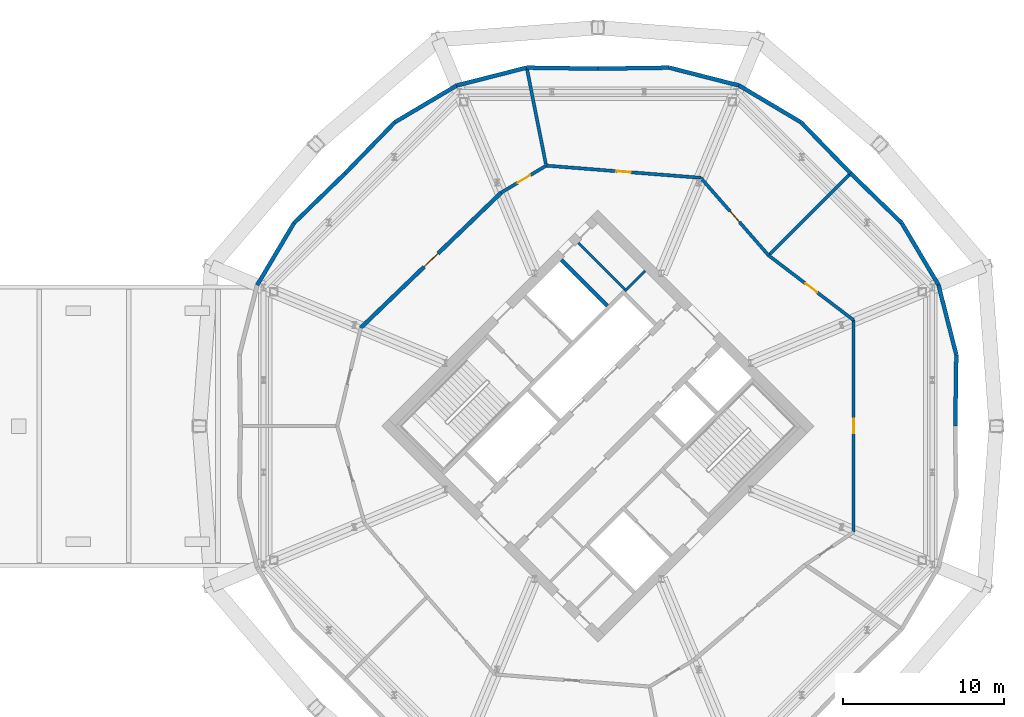
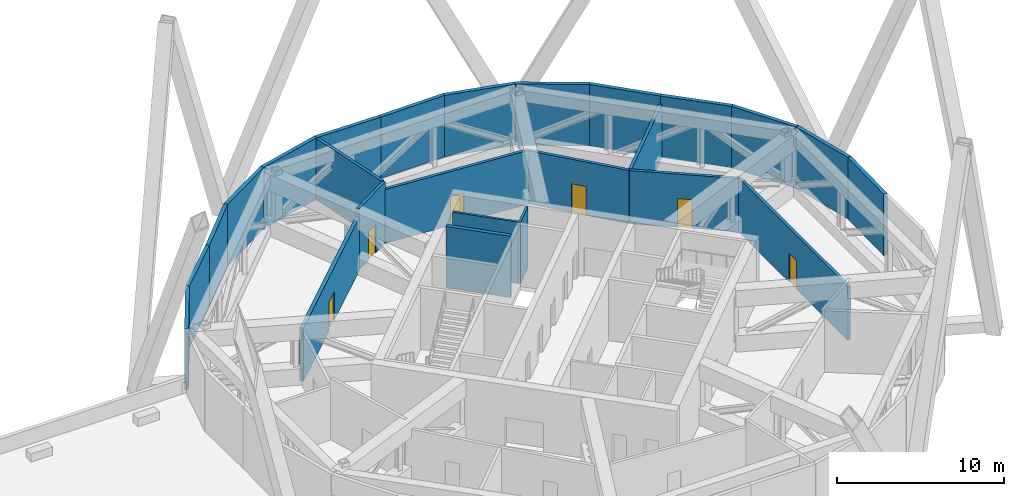
# One storey, part 17 of 20: 25 walls, 6 doors, 6 openings.
"""IFC4 building model written with IfcOpenShell, lengths in metres."""

from ifc_helpers import new_model, si_unit, direction, frame, frame_2d, origin, place, context, subcontext, project, spatial, rectangle, extrude, material, layer, layer_set, type_object, element, fill, save


model = new_model("IFC4")

# Units and contexts
model_context = context("Model", 3, precision=1e-05, world=origin(), true_north=direction((0.0, 1.0)))
body_context = subcontext(model_context, "Body", "Model", "MODEL_VIEW")
ifc_project = project(units=[si_unit("LENGTHUNIT", "METRE"), si_unit("AREAUNIT", "SQUARE_METRE"), si_unit("VOLUMEUNIT", "CUBIC_METRE"), si_unit("PLANEANGLEUNIT", "RADIAN"), si_unit("MASSUNIT", "GRAM", prefix="KILO")], contexts=[model_context])

# Site, building, storey
site_placement = place(None, origin())
site = spatial("IfcSite", under=ifc_project, at=site_placement, CompositionType="ELEMENT")
building_placement = place(site_placement, origin())
building = spatial("IfcBuilding", under=site, at=building_placement, Name="Ogive Gate Towers", CompositionType="ELEMENT")
storey_placement = place(building_placement, frame((0.0, 0.0, 160.800048828125)))
storey = spatial("IfcBuildingStorey", under=building, at=storey_placement, Name="L38", CompositionType="ELEMENT", Elevation=160.800048828125)

# Walls
ifc_material_1 = material(Name="Fire-rated block compartment wall")
ifc_layer_1 = layer(ifc_material_1, 0.199951171875)
ifc_layer_set_1 = layer_set([ifc_layer_1], Name="Compartment wall 200")
wall_type_1 = type_object("IfcWallType", Name="Compartment wall 200", PredefinedType="PARTITIONING", material=ifc_layer_set_1)
wall_1_placement = place(storey_placement, frame((51.725341796875, 15.725341796875, 0.0), z_axis=(0.0, 0.0, 1.0), x_axis=(-0.707106781187, -0.707106781187, 0.0)))
element("IfcWall", 1, at=wall_1_placement, inside=storey, type_object=wall_type_1, Name="Partition T2-L38-001", PredefinedType="PARTITIONING", context=body_context, shape_type="SweptSolid", body=[
    extrude(rectangle(XDim=7.135986328125, YDim=0.199951171875, at=frame_2d((3.56787109375, 0.0))), origin(), (0.0, 0.0, 1.0), 3.89990234375),
])
wall_2_placement = place(storey_placement, frame((31.571533203125, 22.30419921875, 0.0), z_axis=(0.0, 0.0, 1.0), x_axis=(0.194754029692, -0.980852113174, 0.0)))
element("IfcWall", 2, at=wall_2_placement, inside=storey, type_object=wall_type_1, Name="Partition T2-L38-002", PredefinedType="PARTITIONING", context=body_context, shape_type="SweptSolid", body=[
    extrude(rectangle(XDim=6.13623046875, YDim=0.199951171875, at=frame_2d((3.068115234375, 0.0))), origin(), (0.0, 0.0, 1.0), 4.5),
])

# Wall, opening, door
wall_3_placement = place(storey_placement, frame((51.894287109375, -6.583740234375, 0.0), z_axis=(0.0, 0.0, 1.0), x_axis=(0.0, 1.0, 0.0)))
wall_3 = element("IfcWall", 3, at=wall_3_placement, inside=storey, type_object=wall_type_1, Name="Partition T2-L38-011", PredefinedType="PARTITIONING", context=body_context, shape_type="SweptSolid", body=[
    extrude(rectangle(XDim=13.16748046875, YDim=0.199951171875, at=frame_2d((6.583740234375, 0.0))), origin(), (0.0, 0.0, 1.0), 3.949951171875),
])
opening_1_placement = place(wall_3_placement, frame((6.14990234375, 0.0, 0.0)))
opening_1 = element("IfcOpeningElement", 4, at=opening_1_placement, cuts=wall_3, Name="Opening T2-L38-D05", PredefinedType="OPENING", context=body_context, shape_type="SweptSolid", body=[
    extrude(rectangle(XDim=0.89990234375, YDim=2.10009765625, at=frame_2d((0.449951171875, 1.050048828125))), frame((0.0, 0.10986328125, 0.0), z_axis=(0.0, -1.0, 0.0), x_axis=(1.0, 0.0, 0.0)), (0.0, 0.0, 1.0), 0.219970703125),
])
ifc_material_2 = material(Name="Steel fire door", Category="steel")
door_type_1 = type_object("IfcDoorType", Name="Fire door 900 FD30S", OperationType="NOTDEFINED", PredefinedType="DOOR", material=ifc_material_2)
door_1_placement = place(opening_1_placement, origin())
door_1 = element("IfcDoor", 5, at=door_1_placement, inside=storey, type_object=door_type_1, Name="Door T2-L38-D05", OperationType="SINGLE_SWING_RIGHT", OverallHeight=2.10009765625, OverallWidth=0.89990234375, PredefinedType="DOOR", context=body_context, shape_type="SweptSolid", body=[
    extrude(rectangle(XDim=0.89990234375, YDim=2.10009765625, at=frame_2d((0.449951171875, 1.050048828125))), frame((0.0, 0.02490234375, 0.0), z_axis=(0.0, -1.0, 0.0), x_axis=(1.0, 0.0, 0.0)), (0.0, 0.0, 1.0), 0.050048828125),
])
fill(opening_1, door_1)

wall_4_placement = place(storey_placement, frame((51.894287109375, 6.583740234375, 0.0), z_axis=(0.0, 0.0, 1.0), x_axis=(-0.795595343766, 0.605828398953, 0.0)))
wall_4 = element("IfcWall", 6, at=wall_4_placement, inside=storey, type_object=wall_type_1, Name="Partition T2-L38-012", PredefinedType="PARTITIONING", context=body_context, shape_type="SweptSolid", body=[
    extrude(rectangle(XDim=6.6435546875, YDim=0.199951171875, at=frame_2d((3.32177734375, 0.0))), origin(), (0.0, 0.0, 1.0), 3.89990234375),
])
opening_2_placement = place(wall_4_placement, frame((2.85009765625, 0.0, 0.0)))
opening_2 = element("IfcOpeningElement", 7, at=opening_2_placement, cuts=wall_4, Name="Opening T2-L38-D06", PredefinedType="OPENING", context=body_context, shape_type="SweptSolid", body=[
    extrude(rectangle(XDim=0.89990234375, YDim=2.10009765625, at=frame_2d((0.449951171875, 1.050048828125))), frame((0.0, 0.10986328125, 0.0), z_axis=(0.0, -1.0, 0.0), x_axis=(1.0, 0.0, 0.0)), (0.0, 0.0, 1.0), 0.219970703125),
])
door_2_placement = place(opening_2_placement, origin())
door_2 = element("IfcDoor", 8, at=door_2_placement, inside=storey, type_object=door_type_1, Name="Door T2-L38-D06", OperationType="SINGLE_SWING_RIGHT", OverallHeight=2.10009765625, OverallWidth=0.89990234375, PredefinedType="DOOR", context=body_context, shape_type="SweptSolid", body=[
    extrude(rectangle(XDim=0.89990234375, YDim=2.10009765625, at=frame_2d((0.449951171875, 1.050048828125))), frame((0.0, 0.02490234375, 0.0), z_axis=(0.0, -1.0, 0.0), x_axis=(1.0, 0.0, 0.0)), (0.0, 0.0, 1.0), 0.050048828125),
])
fill(opening_2, door_2)

wall_5_placement = place(storey_placement, frame((46.608642578125, 10.608642578125, 0.0), z_axis=(0.0, 0.0, 1.0), x_axis=(-0.658110631292, 0.752921242216, 0.0)))
wall_5 = element("IfcWall", 9, at=wall_5_placement, inside=storey, type_object=wall_type_1, Name="Partition T2-L38-013", PredefinedType="PARTITIONING", context=body_context, shape_type="SweptSolid", body=[
    extrude(rectangle(XDim=6.40673828125, YDim=0.199951171875, at=frame_2d((3.203369140625, 0.0))), origin(), (0.0, 0.0, 1.0), 3.89990234375),
])
opening_3_placement = place(wall_5_placement, frame((2.75, 0.0, 0.0)))
opening_3 = element("IfcOpeningElement", 10, at=opening_3_placement, cuts=wall_5, Name="Opening T2-L38-D07", PredefinedType="OPENING", context=body_context, shape_type="SweptSolid", body=[
    extrude(rectangle(XDim=0.89990234375, YDim=2.10009765625, at=frame_2d((0.449951171875, 1.050048828125))), frame((0.0, 0.10986328125, 0.0), z_axis=(0.0, -1.0, 0.0), x_axis=(1.0, 0.0, 0.0)), (0.0, 0.0, 1.0), 0.219970703125),
])
door_3_placement = place(opening_3_placement, origin())
door_3 = element("IfcDoor", 11, at=door_3_placement, inside=storey, type_object=door_type_1, Name="Door T2-L38-D07", OperationType="SINGLE_SWING_LEFT", OverallHeight=2.10009765625, OverallWidth=0.89990234375, PredefinedType="DOOR", context=body_context, shape_type="SweptSolid", body=[
    extrude(rectangle(XDim=0.89990234375, YDim=2.10009765625, at=frame_2d((0.449951171875, 1.050048828125))), frame((0.0, 0.02490234375, 0.0), z_axis=(0.0, -1.0, 0.0), x_axis=(1.0, 0.0, 0.0)), (0.0, 0.0, 1.0), 0.050048828125),
])
fill(opening_3, door_3)

wall_6_placement = place(storey_placement, frame((42.392333984375, 15.432373046875, 0.0), z_axis=(0.0, 0.0, 1.0), x_axis=(-0.996924770131, 0.078364550016, 0.0)))
wall_6 = element("IfcWall", 12, at=wall_6_placement, inside=storey, type_object=wall_type_1, Name="Partition T2-L38-014", PredefinedType="PARTITIONING", context=body_context, shape_type="SweptSolid", body=[
    extrude(rectangle(XDim=9.635986328125, YDim=0.199951171875, at=frame_2d((4.81787109375, 0.0))), origin(), (0.0, 0.0, 1.0), 3.949951171875),
])
opening_4_placement = place(wall_6_placement, frame((4.35009765625, 0.0, 0.0)))
opening_4 = element("IfcOpeningElement", 13, at=opening_4_placement, cuts=wall_6, Name="Opening T2-L38-D08", PredefinedType="OPENING", context=body_context, shape_type="SweptSolid", body=[
    extrude(rectangle(XDim=0.89990234375, YDim=2.10009765625, at=frame_2d((0.449951171875, 1.050048828125))), frame((0.0, 0.10986328125, 0.0), z_axis=(0.0, -1.0, 0.0), x_axis=(1.0, 0.0, 0.0)), (0.0, 0.0, 1.0), 0.219970703125),
])
door_4_placement = place(opening_4_placement, origin())
door_4 = element("IfcDoor", 14, at=door_4_placement, inside=storey, type_object=door_type_1, Name="Door T2-L38-D08", OperationType="SINGLE_SWING_LEFT", OverallHeight=2.10009765625, OverallWidth=0.89990234375, PredefinedType="DOOR", context=body_context, shape_type="SweptSolid", body=[
    extrude(rectangle(XDim=0.89990234375, YDim=2.10009765625, at=frame_2d((0.449951171875, 1.050048828125))), frame((0.0, 0.02490234375, 0.0), z_axis=(0.0, -1.0, 0.0), x_axis=(1.0, 0.0, 0.0)), (0.0, 0.0, 1.0), 0.050048828125),
])
fill(opening_4, door_4)

wall_7_placement = place(storey_placement, frame((32.785888671875, 16.1875, 0.0), z_axis=(0.0, 0.0, 1.0), x_axis=(-0.857261622912, -0.514881063822, 0.0)))
wall_7 = element("IfcWall", 15, at=wall_7_placement, inside=storey, type_object=wall_type_1, Name="Partition T2-L38-015", PredefinedType="PARTITIONING", context=body_context, shape_type="SweptSolid", body=[
    extrude(rectangle(XDim=3.2607421875, YDim=0.199951171875, at=frame_2d((1.63037109375, 0.0))), origin(), (0.0, 0.0, 1.0), 4.5),
])
opening_5_placement = place(wall_7_placement, frame((1.157958984375, 0.0, 0.0)))
opening_5 = element("IfcOpeningElement", 16, at=opening_5_placement, cuts=wall_7, Name="Opening T2-L38-D09", PredefinedType="OPENING", context=body_context, shape_type="SweptSolid", body=[
    extrude(rectangle(XDim=0.89990234375, YDim=2.10009765625, at=frame_2d((0.449951171875, 1.050048828125))), frame((0.0, 0.10986328125, 0.0), z_axis=(0.0, -1.0, 0.0), x_axis=(1.0, 0.0, 0.0)), (0.0, 0.0, 1.0), 0.219970703125),
])
door_5_placement = place(opening_5_placement, origin())
door_5 = element("IfcDoor", 17, at=door_5_placement, inside=storey, type_object=door_type_1, Name="Door T2-L38-D09", OperationType="SINGLE_SWING_LEFT", OverallHeight=2.10009765625, OverallWidth=0.89990234375, PredefinedType="DOOR", context=body_context, shape_type="SweptSolid", body=[
    extrude(rectangle(XDim=0.89990234375, YDim=2.10009765625, at=frame_2d((0.449951171875, 1.050048828125))), frame((0.0, 0.02490234375, 0.0), z_axis=(0.0, -1.0, 0.0), x_axis=(1.0, 0.0, 0.0)), (0.0, 0.0, 1.0), 0.050048828125),
])
fill(opening_5, door_5)

# Walls
ifc_material_3 = material(Name="Pale metal aluminium louvre", Category="aluminium")
ifc_layer_2 = layer(ifc_material_3, 0.25)
ifc_layer_set_2 = layer_set([ifc_layer_2], Name="Plant louvre wall")
wall_type_2 = type_object("IfcWallType", Name="Plant louvre wall", PredefinedType="SOLIDWALL", material=ifc_layer_set_2)
wall_8_placement = place(storey_placement, frame((58.215087890625, 0.0, 0.0), z_axis=(0.0, 0.0, 1.0), x_axis=(0.014206397031, 0.99989908405, 0.0)))
element("IfcWall", 18, at=wall_8_placement, inside=storey, type_object=wall_type_2, Name="Plant louvre wall", PredefinedType="SOLIDWALL", context=body_context, shape_type="SweptSolid", body=[
    extrude(rectangle(XDim=4.433837890625, YDim=0.25, at=frame_2d((2.216796875, 0.0))), origin(), (0.0, 0.0, 1.0), 4.5),
])
wall_9_placement = place(storey_placement, frame((58.278076171875, 4.433349609375, 0.0), z_axis=(0.0, 0.0, 1.0), x_axis=(-0.247526000192, 0.968881251356, 0.0)))
element("IfcWall", 19, at=wall_9_placement, inside=storey, type_object=wall_type_2, Name="Plant louvre wall", PredefinedType="SOLIDWALL", context=body_context, shape_type="SweptSolid", body=[
    extrude(rectangle(XDim=4.474853515625, YDim=0.25, at=frame_2d((2.2373046875, 0.0))), origin(), (0.0, 0.0, 1.0), 4.5),
])
wall_10_placement = place(storey_placement, frame((57.17041015625, 8.76904296875, 0.0), z_axis=(0.0, 0.0, 1.0), x_axis=(-0.510092473899, 0.860119566149, 0.0)))
element("IfcWall", 20, at=wall_10_placement, inside=storey, type_object=wall_type_2, Name="Plant louvre wall", PredefinedType="SOLIDWALL", context=body_context, shape_type="SweptSolid", body=[
    extrude(rectangle(XDim=4.47509765625, YDim=0.25, at=frame_2d((2.237548828125, 0.0))), origin(), (0.0, 0.0, 1.0), 4.5),
])
for number, where, z_axis, x_axis, name in (
    (21, (54.8876953125, 12.6181640625, 0.0), (0.0, 0.0, 1.0), (-0.717057604058, 0.69701391124, 0.0), "Plant louvre wall"),
    (22, (51.70849609375, 15.70849609375, 0.0), (0.0, 0.0, 1.0), (-0.69701391124, 0.717057604058, 0.0), "Plant louvre wall"),
):
    element("IfcWall", number, at=place(storey_placement, frame(where, z_axis=z_axis, x_axis=x_axis)), inside=storey, type_object=wall_type_2, Name=name, PredefinedType="SOLIDWALL", context=body_context, shape_type="SweptSolid", body=[
        extrude(rectangle(XDim=4.43359375, YDim=0.25, at=frame_2d((2.216796875, 0.0))), origin(), (0.0, 0.0, 1.0), 4.5),
    ])
wall_11_placement = place(storey_placement, frame((48.6181640625, 18.8876953125, 0.0), z_axis=(0.0, 0.0, 1.0), x_axis=(-0.860119566149, 0.510092473899, 0.0)))
element("IfcWall", 23, at=wall_11_placement, inside=storey, type_object=wall_type_2, Name="Plant louvre wall", PredefinedType="SOLIDWALL", context=body_context, shape_type="SweptSolid", body=[
    extrude(rectangle(XDim=4.47509765625, YDim=0.25, at=frame_2d((2.237548828125, 0.0))), origin(), (0.0, 0.0, 1.0), 4.5),
])
wall_12_placement = place(storey_placement, frame((44.76904296875, 21.17041015625, 0.0), z_axis=(0.0, 0.0, 1.0), x_axis=(-0.968881251356, 0.247526000192, 0.0)))
element("IfcWall", 24, at=wall_12_placement, inside=storey, type_object=wall_type_2, Name="Plant louvre wall", PredefinedType="SOLIDWALL", context=body_context, shape_type="SweptSolid", body=[
    extrude(rectangle(XDim=4.474853515625, YDim=0.25, at=frame_2d((2.2373046875, 0.0))), origin(), (0.0, 0.0, 1.0), 4.5),
])
for number, where, z_axis, x_axis, name in (
    (25, (40.433349609375, 22.278076171875, 0.0), (0.0, 0.0, 1.0), (-0.99989908405, -0.014206397031, 0.0), "Plant louvre wall"),
    (26, (36.0, 22.215087890625, 0.0), (0.0, 0.0, 1.0), (-0.99989908405, 0.014206397031, 0.0), "Plant louvre wall"),
):
    element("IfcWall", number, at=place(storey_placement, frame(where, z_axis=z_axis, x_axis=x_axis)), inside=storey, type_object=wall_type_2, Name=name, PredefinedType="SOLIDWALL", context=body_context, shape_type="SweptSolid", body=[
        extrude(rectangle(XDim=4.433837890625, YDim=0.25, at=frame_2d((2.216796875, 0.0))), origin(), (0.0, 0.0, 1.0), 4.5),
    ])
wall_13_placement = place(storey_placement, frame((31.566650390625, 22.278076171875, 0.0), z_axis=(0.0, 0.0, 1.0), x_axis=(-0.968881251356, -0.247526000192, 0.0)))
element("IfcWall", 27, at=wall_13_placement, inside=storey, type_object=wall_type_2, Name="Plant louvre wall", PredefinedType="SOLIDWALL", context=body_context, shape_type="SweptSolid", body=[
    extrude(rectangle(XDim=4.474853515625, YDim=0.25, at=frame_2d((2.2373046875, 0.0))), origin(), (0.0, 0.0, 1.0), 4.5),
])
wall_14_placement = place(storey_placement, frame((27.23095703125, 21.17041015625, 0.0), z_axis=(0.0, 0.0, 1.0), x_axis=(-0.860119566149, -0.510092473899, 0.0)))
element("IfcWall", 28, at=wall_14_placement, inside=storey, type_object=wall_type_2, Name="Plant louvre wall", PredefinedType="SOLIDWALL", context=body_context, shape_type="SweptSolid", body=[
    extrude(rectangle(XDim=4.47509765625, YDim=0.25, at=frame_2d((2.237548828125, 0.0))), origin(), (0.0, 0.0, 1.0), 4.5),
])
for number, where, z_axis, x_axis, name in (
    (29, (23.3818359375, 18.8876953125, 0.0), (0.0, 0.0, 1.0), (-0.69701391124, -0.717057604058, 0.0), "Plant louvre wall"),
    (30, (20.29150390625, 15.70849609375, 0.0), (0.0, 0.0, 1.0), (-0.717057604058, -0.69701391124, 0.0), "Plant louvre wall"),
):
    element("IfcWall", number, at=place(storey_placement, frame(where, z_axis=z_axis, x_axis=x_axis)), inside=storey, type_object=wall_type_2, Name=name, PredefinedType="SOLIDWALL", context=body_context, shape_type="SweptSolid", body=[
        extrude(rectangle(XDim=4.43359375, YDim=0.25, at=frame_2d((2.216796875, 0.0))), origin(), (0.0, 0.0, 1.0), 4.5),
    ])
wall_15_placement = place(storey_placement, frame((17.1123046875, 12.6181640625, 0.0), z_axis=(0.0, 0.0, 1.0), x_axis=(-0.510092473899, -0.860119566149, 0.0)))
element("IfcWall", 31, at=wall_15_placement, inside=storey, type_object=wall_type_2, Name="Plant louvre wall", PredefinedType="SOLIDWALL", context=body_context, shape_type="SweptSolid", body=[
    extrude(rectangle(XDim=4.47509765625, YDim=0.25, at=frame_2d((2.237548828125, 0.0))), origin(), (0.0, 0.0, 1.0), 4.5),
])

# Wall, opening, door
ifc_material_4 = material(Name="Fire-rated concrete block wall", Category="concrete")
ifc_layer_3 = layer(ifc_material_4, 0.25)
ifc_layer_set_3 = layer_set([ifc_layer_3], Name="Refuge compartment wall 250")
wall_type_3 = type_object("IfcWallType", Name="Refuge compartment wall 250", PredefinedType="PARTITIONING", material=ifc_layer_set_3)
wall_16_placement = place(storey_placement, frame((29.990478515625, 14.508544921875, 0.0), z_axis=(0.0, 0.0, 1.0), x_axis=(-0.720457407557, -0.693499188101, 0.0)))
wall_16 = element("IfcWall", 32, at=wall_16_placement, inside=storey, type_object=wall_type_3, Name="Partition T2-L38-016", PredefinedType="PARTITIONING", context=body_context, shape_type="SweptSolid", body=[
    extrude(rectangle(XDim=12.1171875, YDim=0.25, at=frame_2d((6.05859375, 0.0))), origin(), (0.0, 0.0, 1.0), 3.89990234375),
])
opening_6_placement = place(wall_16_placement, frame((5.449951171875, 0.0, 0.0)))
opening_6 = element("IfcOpeningElement", 33, at=opening_6_placement, cuts=wall_16, Name="Opening T2-L38-D10", PredefinedType="OPENING", context=body_context, shape_type="SweptSolid", body=[
    extrude(rectangle(XDim=1.199951171875, YDim=2.10009765625, at=frame_2d((0.60009765625, 1.050048828125))), frame((0.0, 0.135009765625, 0.0), z_axis=(0.0, -1.0, 0.0), x_axis=(1.0, 0.0, 0.0)), (0.0, 0.0, 1.0), 0.27001953125),
])
door_type_2 = type_object("IfcDoorType", Name="Fire door 1200 FD60S", OperationType="NOTDEFINED", PredefinedType="DOOR", material=ifc_material_2)
door_6_placement = place(opening_6_placement, origin())
door_6 = element("IfcDoor", 34, at=door_6_placement, inside=storey, type_object=door_type_2, Name="Door T2-L38-D10", OperationType="SINGLE_SWING_LEFT", OverallHeight=2.10009765625, OverallWidth=1.199951171875, PredefinedType="DOOR", context=body_context, shape_type="SweptSolid", body=[
    extrude(rectangle(XDim=1.199951171875, YDim=2.10009765625, at=frame_2d((0.60009765625, 1.050048828125))), frame((0.0, 0.02490234375, 0.0), z_axis=(0.0, -1.0, 0.0), x_axis=(1.0, 0.0, 0.0)), (0.0, 0.0, 1.0), 0.050048828125),
])
fill(opening_6, door_6)

# Walls
ifc_material_5 = material(Name="Gypsum board partition")
ifc_layer_4 = layer(ifc_material_5, 0.14990234375)
ifc_layer_set_4 = layer_set([ifc_layer_4], Name="Room partition 150 mm")
wall_type_4 = type_object("IfcWallType", Name="Room partition 150 mm", PredefinedType="PARTITIONING", material=ifc_layer_set_4)
wall_17_placement = place(storey_placement, frame((37.679443359375, 8.39697265625, 0.0), z_axis=(0.0, 0.0, 1.0), x_axis=(0.707106781187, 0.707106781187, 0.0)))
element("IfcWall", 35, at=wall_17_placement, inside=storey, type_object=wall_type_4, Name="T2 L38 Room partition 150 mm", PredefinedType="PARTITIONING", context=body_context, shape_type="SweptSolid", body=[
    extrude(rectangle(XDim=1.77490234375, YDim=0.14990234375, at=frame_2d((0.887451171875, 0.0))), origin(), (0.0, 0.0, 1.0), 4.5),
])
wall_18_placement = place(storey_placement, frame((37.679443359375, 8.5029296875, 0.0), z_axis=(0.0, 0.0, 1.0), x_axis=(-0.707106781187, 0.707106781187, 0.0)))
element("IfcWall", 36, at=wall_18_placement, inside=storey, type_object=wall_type_4, Name="T2 L38 Room partition 150 mm", PredefinedType="PARTITIONING", context=body_context, shape_type="SweptSolid", body=[
    extrude(rectangle(XDim=4.0751953125, YDim=0.14990234375, at=frame_2d((2.03759765625, 0.0))), origin(), (0.0, 0.0, 1.0), 4.5),
])
ifc_material_6 = material(Name="Concrete C60/75", Category="concrete")
ifc_layer_5 = layer(ifc_material_6, 0.25)
ifc_layer_set_5 = layer_set([ifc_layer_5], Name="Shaft wall 250 mm")
wall_type_5 = type_object("IfcWallType", Name="Shaft wall 250 mm", PredefinedType="SHEAR", material=ifc_layer_set_5)
wall_19_placement = place(storey_placement, frame((36.58349609375, 7.477783203125, 0.0), z_axis=(0.0, 0.0, 1.0), x_axis=(-0.707137108942, 0.70707645213, 0.0)))
element("IfcWall", 37, at=wall_19_placement, inside=storey, type_object=wall_type_5, Name="T2 L38 Shaft wall 250 mm", PredefinedType="SHEAR", context=body_context, shape_type="SweptSolid", body=[
    extrude(rectangle(XDim=4.02490234375, YDim=0.25, at=frame_2d((2.012451171875, 0.0))), origin(), (0.0, 0.0, 1.0), 4.5),
])

save(model, "model.ifc")
